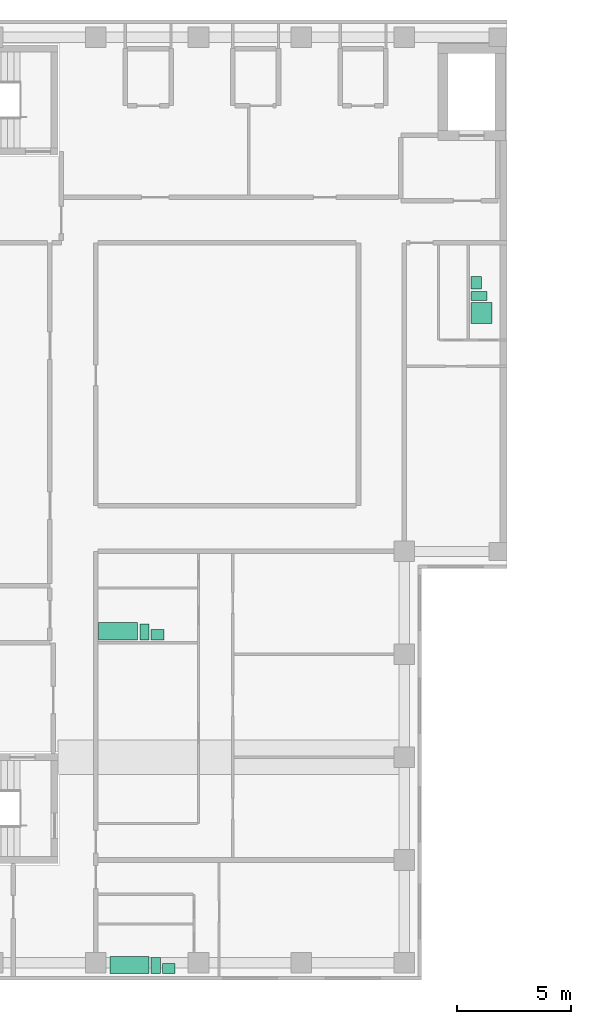
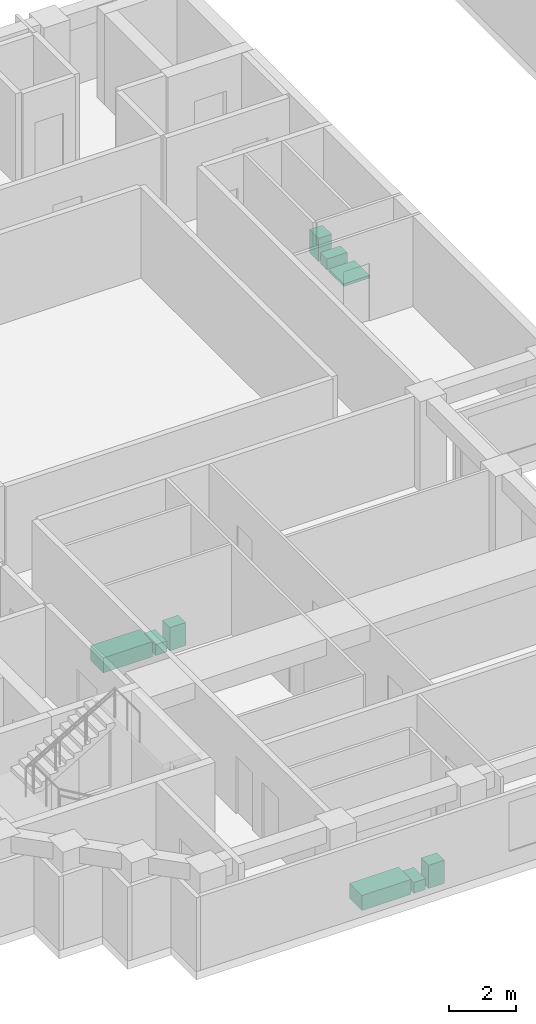
# One storey, part 7 of 7: 9 sanitary terminals.
"""IFC4 building model written with IfcOpenShell, lengths in metres."""

from ifc_helpers import new_model, si_unit, direction, frame, origin, origin_2d, place, context, subcontext, project, spatial, rectangle, extrude, material, type_object, element, save


model = new_model("IFC4")

# Units and contexts
model_context = context("Model", 3, precision=1e-05, world=origin(), true_north=direction((0.0, 1.0)))
body_context = subcontext(model_context, "Body", "Model", "MODEL_VIEW")
ifc_project = project(units=[si_unit("LENGTHUNIT", "METRE"), si_unit("AREAUNIT", "SQUARE_METRE"), si_unit("VOLUMEUNIT", "CUBIC_METRE"), si_unit("PLANEANGLEUNIT", "RADIAN"), si_unit("MASSUNIT", "GRAM", prefix="KILO")], contexts=[model_context])

# Site, building, storey
site_placement = place(None, origin())
site = spatial("IfcSite", under=ifc_project, at=site_placement, CompositionType="ELEMENT")
building_placement = place(site_placement, origin())
building = spatial("IfcBuilding", under=site, at=building_placement, Name="Firuza Court", CompositionType="ELEMENT")
storey_placement = place(building_placement, frame((0.0, 0.0, 243.800048828125)))
storey = spatial("IfcBuildingStorey", under=building, at=storey_placement, Name="L63", CompositionType="ELEMENT", Elevation=243.800048828125)

# Sanitary terminals
ifc_material_1 = material(Name="Vitreous china", Category="ceramic")
sanitary_terminal_type_1 = type_object("IfcSanitaryTerminalType", Name="Fixture Bath", PredefinedType="BATH", material=ifc_material_1)
for number, where, z_axis, x_axis, name in (
    (1, (9.97998046875, 32.5048828125, 0.0), (0.0, 0.0, 1.0), (1.0, 0.0, 0.0), "Bath"),
    (2, (10.47998046875, 17.905029296875, 0.0), (0.0, 0.0, 1.0), (1.0, 0.0, 0.0), "Bath"),
):
    element("IfcSanitaryTerminal", number, at=place(storey_placement, frame(where, z_axis=z_axis, x_axis=x_axis)), inside=storey, type_object=sanitary_terminal_type_1, Name=name, PredefinedType="BATH", context=body_context, shape_type="SweptSolid", body=[
        extrude(rectangle(XDim=1.699951171875, YDim=0.75, at=origin_2d()), origin(), (0.0, 0.0, 1.0), 0.550048828125),
    ])
ifc_material_2 = material(Name="Vitreous china", Category="ceramic")
sanitary_terminal_type_2 = type_object("IfcSanitaryTerminalType", Name="Fixture Shower tray", PredefinedType="SHOWER", material=ifc_material_2)
sanitary_terminal_1_placement = place(storey_placement, frame((25.8798828125, 46.429931640625, 0.0), z_axis=(0.0, 0.0, 1.0), x_axis=(1.0, 0.0, 0.0)))
element("IfcSanitaryTerminal", 3, at=sanitary_terminal_1_placement, inside=storey, type_object=sanitary_terminal_type_2, Name="Shower tray", PredefinedType="SHOWER", context=body_context, shape_type="SweptSolid", body=[
    extrude(rectangle(XDim=0.89990234375, YDim=0.89990234375, at=origin_2d()), origin(), (0.0, 0.0, 1.0), 0.10009765625),
])
ifc_material_3 = material(Name="Vitreous china", Category="ceramic")
sanitary_terminal_type_3 = type_object("IfcSanitaryTerminalType", Name="Fixture WC pan", PredefinedType="TOILETPAN", material=ifc_material_3)
sanitary_terminal_2_placement = place(storey_placement, frame((25.780029296875, 47.179931640625, 0.0), z_axis=(0.0, 0.0, 1.0), x_axis=(1.0, 0.0, 0.0)))
element("IfcSanitaryTerminal", 4, at=sanitary_terminal_2_placement, inside=storey, type_object=sanitary_terminal_type_3, Name="WC pan", PredefinedType="TOILETPAN", context=body_context, shape_type="SweptSolid", body=[
    extrude(rectangle(XDim=0.699951171875, YDim=0.39990234375, at=origin_2d()), origin(), (0.0, 0.0, 1.0), 0.39990234375),
])
for number, where, z_axis, x_axis, name in (
    (5, (11.1298828125, 32.47998046875, 0.0), (0.0, 0.0, 1.0), (1.0, 0.0, 0.0), "WC pan"),
    (6, (11.6298828125, 17.8798828125, 0.0), (0.0, 0.0, 1.0), (1.0, 0.0, 0.0), "WC pan"),
):
    element("IfcSanitaryTerminal", number, at=place(storey_placement, frame(where, z_axis=z_axis, x_axis=x_axis)), inside=storey, type_object=sanitary_terminal_type_3, Name=name, PredefinedType="TOILETPAN", context=body_context, shape_type="SweptSolid", body=[
        extrude(rectangle(XDim=0.39990234375, YDim=0.699951171875, at=origin_2d()), origin(), (0.0, 0.0, 1.0), 0.39990234375),
    ])
ifc_material_4 = material(Name="Vitreous china", Category="ceramic")
sanitary_terminal_type_4 = type_object("IfcSanitaryTerminalType", Name="Fixture Washbasin", PredefinedType="WASHHANDBASIN", material=ifc_material_4)
sanitary_terminal_3_placement = place(storey_placement, frame((25.655029296875, 47.7548828125, 0.0), z_axis=(0.0, 0.0, 1.0), x_axis=(1.0, 0.0, 0.0)))
element("IfcSanitaryTerminal", 7, at=sanitary_terminal_3_placement, inside=storey, type_object=sanitary_terminal_type_4, Name="Washbasin", PredefinedType="WASHHANDBASIN", context=body_context, shape_type="SweptSolid", body=[
    extrude(rectangle(XDim=0.449951171875, YDim=0.550048828125, at=origin_2d()), origin(), (0.0, 0.0, 1.0), 0.85009765625),
])
for number, where, z_axis, x_axis, name in (
    (8, (11.705078125, 32.35498046875, 0.0), (0.0, 0.0, 1.0), (1.0, 0.0, 0.0), "Washbasin"),
    (9, (12.205078125, 17.7548828125, 0.0), (0.0, 0.0, 1.0), (1.0, 0.0, 0.0), "Washbasin"),
):
    element("IfcSanitaryTerminal", number, at=place(storey_placement, frame(where, z_axis=z_axis, x_axis=x_axis)), inside=storey, type_object=sanitary_terminal_type_4, Name=name, PredefinedType="WASHHANDBASIN", context=body_context, shape_type="SweptSolid", body=[
        extrude(rectangle(XDim=0.550048828125, YDim=0.449951171875, at=origin_2d()), origin(), (0.0, 0.0, 1.0), 0.85009765625),
    ])

save(model, "model.ifc")
